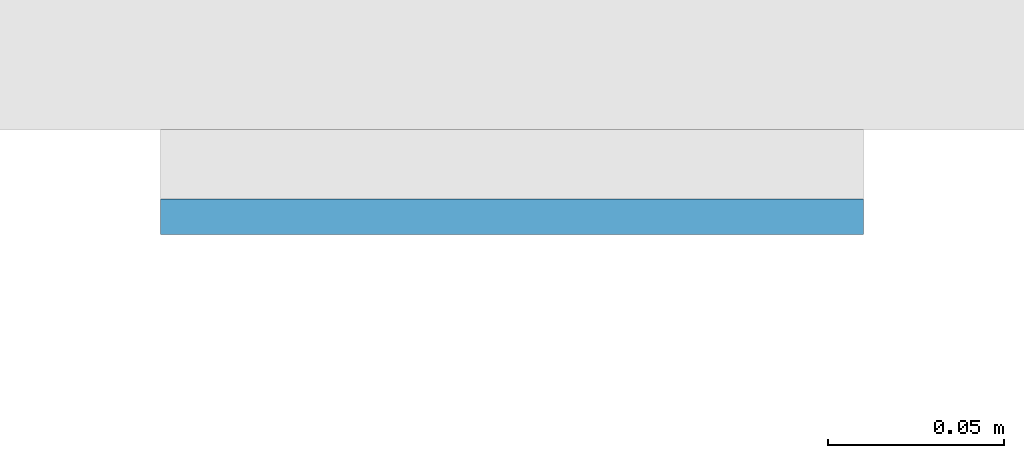
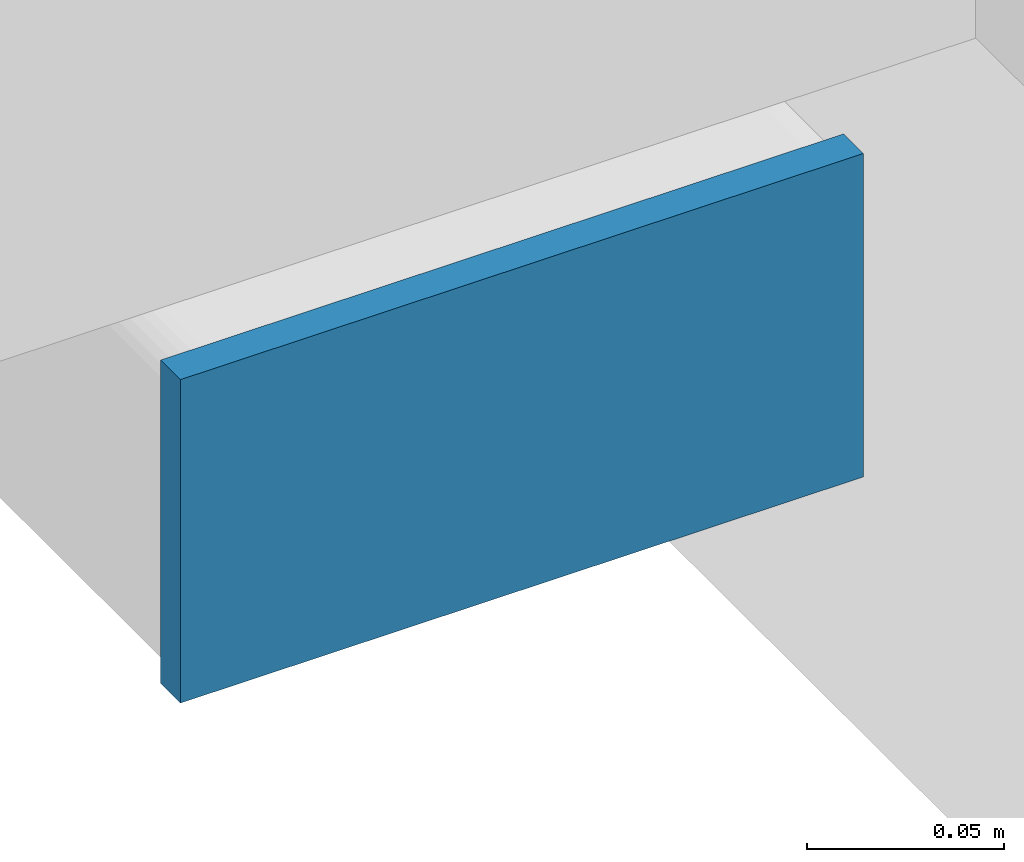
# One storey, part 8 of 20: 1 plate.
"""IFC4 building model written with IfcOpenShell, lengths in metres."""

from ifc_helpers import new_model, si_unit, direction, frame, origin, origin_2d, place, context, subcontext, project, spatial, rectangle, extrude, material, layer, layer_set, type_object, element, save


model = new_model("IFC4")

# Units and contexts
model_context = context("Model", 3, precision=1e-05, world=origin(), true_north=direction((0.0, 1.0)))
body_context = subcontext(model_context, "Body", "Model", "MODEL_VIEW")
ifc_project = project(units=[si_unit("LENGTHUNIT", "METRE"), si_unit("AREAUNIT", "SQUARE_METRE"), si_unit("VOLUMEUNIT", "CUBIC_METRE"), si_unit("PLANEANGLEUNIT", "RADIAN"), si_unit("MASSUNIT", "GRAM", prefix="KILO")], contexts=[model_context])

# Site, building, storey
site_placement = place(None, origin())
site = spatial("IfcSite", under=ifc_project, at=site_placement, CompositionType="ELEMENT")
building_placement = place(site_placement, origin())
building = spatial("IfcBuilding", under=site, at=building_placement, Name="Cleftline Residences", CompositionType="ELEMENT")
storey_placement = place(building_placement, frame((0.0, 0.0, 80.0)))
storey = spatial("IfcBuildingStorey", under=building, at=storey_placement, Name="L20", CompositionType="ELEMENT", Elevation=80.0)

# Plate
ifc_material = material(Name="Steel S355, hot-dip galvanised", Category="steel")
ifc_layer = layer(ifc_material, 0.010009765625)
ifc_layer_set = layer_set([ifc_layer], Name="BAGUETTE CARRIER END PLATE 200X100X10")
plate_type = type_object("IfcPlateType", Name="BAGUETTE CARRIER END PLATE 200X100X10", PredefinedType="USERDEFINED", material=ifc_layer_set)
plate_placement = place(storey_placement, frame((-0.85009765625, 3.695068359375, -0.10009765625), z_axis=(0.0, 0.0, 1.0), x_axis=(-1.0, 0.0, 0.0)))
element("IfcPlate", 1, at=plate_placement, inside=storey, type_object=plate_type, Name="Baguette carrier end plate", ObjectType="BAGUETTE CARRIER END PLATE", PredefinedType="USERDEFINED", context=body_context, shape_type="SweptSolid", body=[
    extrude(rectangle(XDim=0.199951171875, YDim=0.010009765625, at=origin_2d()), origin(), (0.0, 0.0, 1.0), 0.10009765625),
])

save(model, "model.ifc")
